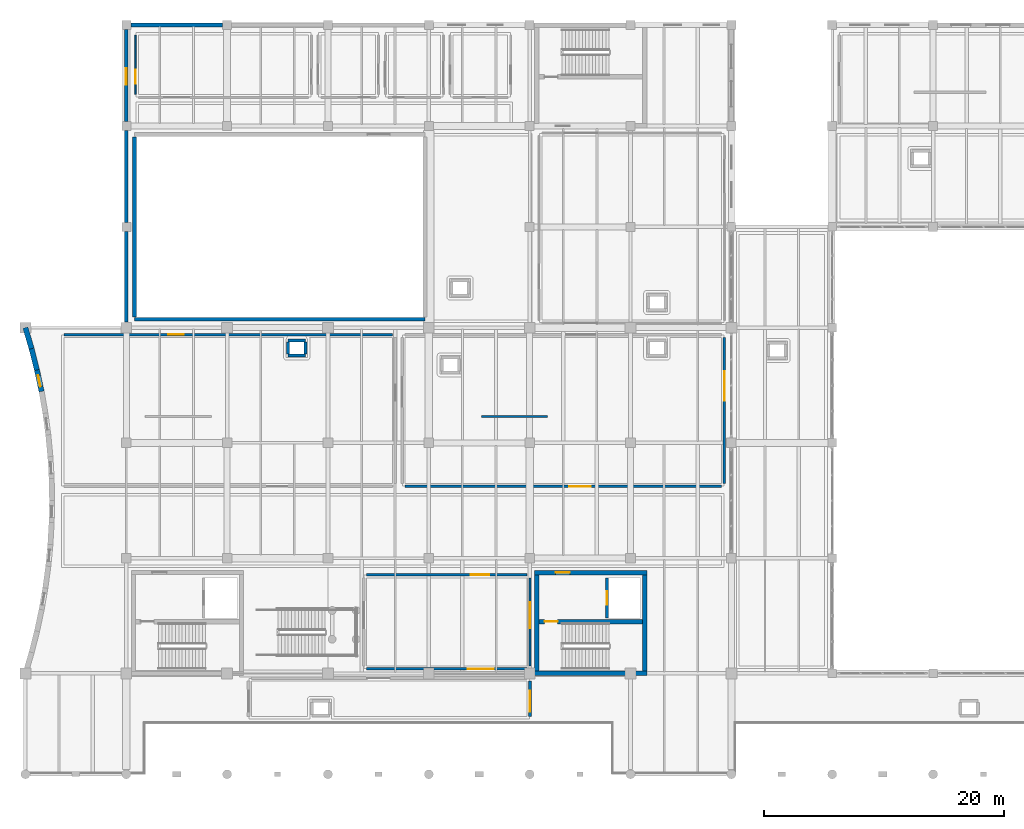
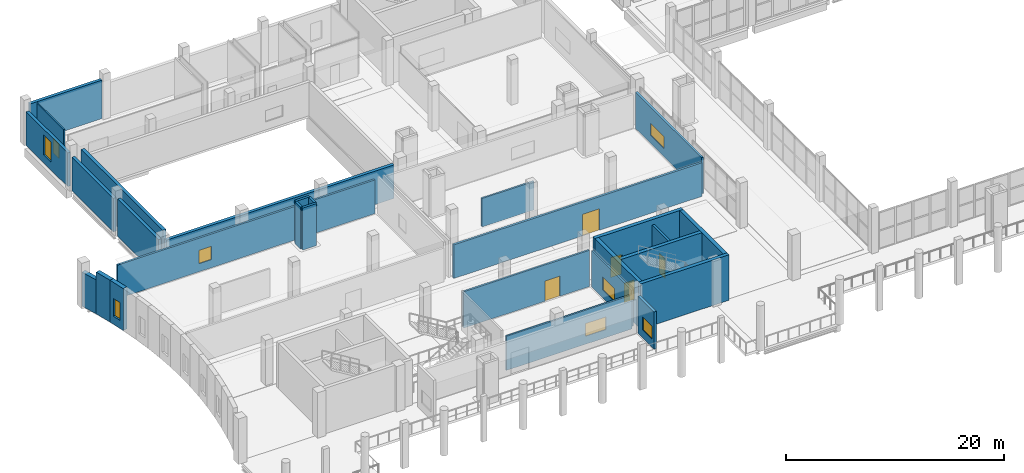
# One storey, part 45 of 66: 28 walls, 8 windows, 5 doors, 13 openings.
"""IFC4 building model written with IfcOpenShell, lengths in metres."""

from ifc_helpers import new_model, si_unit, direction, frame, frame_2d, origin, place, context, subcontext, project, spatial, rectangle, extrude, material, layer, layer_set, type_object, element, fill, save


model = new_model("IFC4")

# Units and contexts
model_context = context("Model", 3, precision=1e-05, world=origin(), true_north=direction((0.0, 1.0)))
body_context = subcontext(model_context, "Body", "Model", "MODEL_VIEW")
ifc_project = project(units=[si_unit("LENGTHUNIT", "METRE"), si_unit("AREAUNIT", "SQUARE_METRE"), si_unit("VOLUMEUNIT", "CUBIC_METRE"), si_unit("PLANEANGLEUNIT", "RADIAN"), si_unit("MASSUNIT", "GRAM", prefix="KILO")], contexts=[model_context])

# Site, building, storey
site_placement = place(None, origin())
site = spatial("IfcSite", under=ifc_project, at=site_placement, CompositionType="ELEMENT")
building_placement = place(site_placement, origin())
building = spatial("IfcBuilding", under=site, at=building_placement, Name="Zulmaris Art Gallery", CompositionType="ELEMENT")
storey_placement = place(building_placement, frame((0.0, 0.0, 5.39990234375)))
storey = spatial("IfcBuildingStorey", under=building, at=storey_placement, Name="L01", CompositionType="ELEMENT", Elevation=5.39990234375)

# Wall, opening, window
ifc_material_1 = material(Name="Omani Cream Limestone Ashlar Masonry", Category="masonry")
ifc_layer_1 = layer(ifc_material_1, 0.43994140625)
ifc_layer_set_1 = layer_set([ifc_layer_1], Name="Omani Cream Limestone Ashlar Masonry")
wall_type_1 = type_object("IfcWallType", Name="ENV-WALL-EW01", PredefinedType="SOLIDWALL", material=ifc_layer_set_1)
wall_1_placement = place(storey_placement, frame((25.34326171875, 45.085693359375, 0.0), z_axis=(0.0, 0.0, 1.0), x_axis=(-0.207941813813, 0.978141197409, 0.0)))
wall_1 = element("IfcWall", 1, at=wall_1_placement, inside=storey, type_object=wall_type_1, Name="L01 Concave Scooped Limestone Chord 14", PredefinedType="SOLIDWALL", context=body_context, shape_type="SweptSolid", body=[
    extrude(rectangle(XDim=1.828125, YDim=0.43994140625, at=frame_2d((0.9140625, 0.0))), origin(), (0.0, 0.0, 1.0), 4.7001953125),
])
opening_1_placement = place(wall_1_placement, frame((0.419921875, 0.0, 0.89990234375)))
opening_1 = element("IfcOpeningElement", 2, at=opening_1_placement, cuts=wall_1, Name="Opening W06", PredefinedType="OPENING", context=body_context, shape_type="SweptSolid", body=[
    extrude(rectangle(XDim=0.949951171875, YDim=2.0, at=frame_2d((0.47509765625, 1.0))), frame((0.0, 0.22998046875, 0.0), z_axis=(0.0, -1.0, 0.0), x_axis=(1.0, 0.0, 0.0)), (0.0, 0.0, 1.0), 0.4599609375),
])
ifc_material_2 = material(Name="Art Deco Stepped-Head Pier Window", Category="glass")
window_type_1 = type_object("IfcWindowType", Name="WIN-W06", PartitioningType="SINGLE_PANEL", PredefinedType="WINDOW", material=ifc_material_2)
window_1_placement = place(opening_1_placement, origin())
window_1 = element("IfcWindow", 3, at=window_1_placement, inside=storey, type_object=window_type_1, Name="L01 exterior window W06", OverallHeight=2.0, OverallWidth=0.949951171875, PartitioningType="SINGLE_PANEL", PredefinedType="WINDOW", context=body_context, shape_type="SweptSolid", body=[
    extrude(rectangle(XDim=0.949951171875, YDim=2.0, at=frame_2d((0.47509765625, 1.0))), frame((0.0, 0.030029296875, 0.0), z_axis=(0.0, -1.0, 0.0), x_axis=(1.0, 0.0, 0.0)), (0.0, 0.0, 1.0), 0.06005859375),
])
fill(opening_1, window_1)

# Walls
wall_2_placement = place(storey_placement, frame((24.963134765625, 46.873779296875, 0.0), z_axis=(0.0, 0.0, 1.0), x_axis=(-0.245080262371, 0.969502792671, 0.0)))
element("IfcWall", 4, at=wall_2_placement, inside=storey, type_object=wall_type_1, Name="L01 Concave Scooped Limestone Chord 15", PredefinedType="SOLIDWALL", context=body_context, shape_type="SweptSolid", body=[
    extrude(rectangle(XDim=1.827880859375, YDim=0.43994140625, at=frame_2d((0.9140625, 0.0))), origin(), (0.0, 0.0, 1.0), 4.7001953125),
])
wall_3_placement = place(storey_placement, frame((24.51513671875, 48.64599609375, 0.0), z_axis=(0.0, 0.0, 1.0), x_axis=(-0.281804764954, 0.959471768448, 0.0)))
element("IfcWall", 5, at=wall_3_placement, inside=storey, type_object=wall_type_1, Name="L01 Concave Scooped Limestone Chord 16", PredefinedType="SOLIDWALL", context=body_context, shape_type="SweptSolid", body=[
    extrude(rectangle(XDim=1.827880859375, YDim=0.43994140625, at=frame_2d((0.9140625, 0.0))), origin(), (0.0, 0.0, 1.0), 3.820068359375),
])
ifc_material_3 = material(Name="Stucco-Rendered Acoustic Blockwork Wall", Category="masonry")
ifc_layer_2 = layer(ifc_material_3, 0.320068359375)
ifc_layer_set_2 = layer_set([ifc_layer_2], Name="Stucco-Rendered Acoustic Blockwork Wall")
wall_type_2 = type_object("IfcWallType", Name="ENV-WALL-EW04", PredefinedType="SOLIDWALL", material=ifc_layer_set_2)
wall_4_placement = place(storey_placement, frame((32.777099609375, 75.60009765625, 0.0), z_axis=(0.0, 0.0, 1.0), x_axis=(1.0, 0.0, 0.0)))
element("IfcWall", 6, at=wall_4_placement, inside=storey, type_object=wall_type_2, Name="L01 V3 North Limestone Wall (32.4..40.8)", PredefinedType="SOLIDWALL", context=body_context, shape_type="SweptSolid", body=[
    extrude(rectangle(XDim=7.64599609375, YDim=0.320068359375, at=frame_2d((3.822998046875, 0.0))), origin(), (0.0, 0.0, 1.0), 4.320068359375),
])
wall_5_placement = place(storey_placement, frame((32.39990234375, 50.85205078125, 0.0), z_axis=(0.0, 0.0, 1.0), x_axis=(0.0, 1.0, 0.0)))
element("IfcWall", 7, at=wall_5_placement, inside=storey, type_object=wall_type_2, Name="L01 V3 West Auditorium Wall", PredefinedType="SOLIDWALL", context=body_context, shape_type="SweptSolid", body=[
    extrude(rectangle(XDim=7.571044921875, YDim=0.320068359375, at=frame_2d((3.78564453125, 0.0))), origin(), (0.0, 0.0, 1.0), 4.18017578125),
])
wall_6_placement = place(storey_placement, frame((32.39990234375, 59.177001953125, 0.0), z_axis=(0.0, 0.0, 1.0), x_axis=(0.0, 1.0, 0.0)))
element("IfcWall", 8, at=wall_6_placement, inside=storey, type_object=wall_type_2, Name="L01 V3 West Auditorium Wall", PredefinedType="SOLIDWALL", context=body_context, shape_type="SweptSolid", body=[
    extrude(rectangle(XDim=7.64599609375, YDim=0.320068359375, at=frame_2d((3.822998046875, 0.0))), origin(), (0.0, 0.0, 1.0), 3.77001953125),
])

# Wall, opening, window
wall_7_placement = place(storey_placement, frame((32.39990234375, 67.576904296875, 0.0), z_axis=(0.0, 0.0, 1.0), x_axis=(0.0, 1.0, 0.0)))
wall_7 = element("IfcWall", 9, at=wall_7_placement, inside=storey, type_object=wall_type_2, Name="L01 V3 West Auditorium Wall", PredefinedType="SOLIDWALL", context=body_context, shape_type="SweptSolid", body=[
    extrude(rectangle(XDim=7.64599609375, YDim=0.320068359375, at=frame_2d((3.822998046875, 0.0))), origin(), (0.0, 0.0, 1.0), 3.77001953125),
])
opening_2_placement = place(wall_7_placement, frame((3.04296875, 0.0, 0.89990234375)))
opening_2 = element("IfcOpeningElement", 10, at=opening_2_placement, cuts=wall_7, Name="Opening W04", PredefinedType="OPENING", context=body_context, shape_type="SweptSolid", body=[
    extrude(rectangle(XDim=1.39990234375, YDim=2.199951171875, at=frame_2d((0.699951171875, 1.10009765625))), frame((0.0, 0.169921875, 0.0), z_axis=(0.0, -1.0, 0.0), x_axis=(1.0, 0.0, 0.0)), (0.0, 0.0, 1.0), 0.340087890625),
])
ifc_material_4 = material(Name="Deep-Reveal Limestone Slot Window", Category="masonry")
window_type_2 = type_object("IfcWindowType", Name="WIN-W04", PartitioningType="SINGLE_PANEL", PredefinedType="WINDOW", material=ifc_material_4)
window_2_placement = place(opening_2_placement, origin())
window_2 = element("IfcWindow", 11, at=window_2_placement, inside=storey, type_object=window_type_2, Name="L01 exterior window W04", OverallHeight=2.199951171875, OverallWidth=1.39990234375, PartitioningType="SINGLE_PANEL", PredefinedType="WINDOW", context=body_context, shape_type="SweptSolid", body=[
    extrude(rectangle(XDim=1.39990234375, YDim=2.199951171875, at=frame_2d((0.699951171875, 1.10009765625))), frame((0.0, 0.030029296875, 0.0), z_axis=(0.0, -1.0, 0.0), x_axis=(1.0, 0.0, 0.0)), (0.0, 0.0, 1.0), 0.06005859375),
])
fill(opening_2, window_2)

# Wall
ifc_material_5 = material(Name="Track-Hung Acoustic Gallery Display Wall B", Category="timber")
ifc_layer_3 = layer(ifc_material_5, 0.181884765625)
ifc_layer_set_3 = layer_set([ifc_layer_3], Name="Track-Hung Acoustic Gallery Display Wall B")
wall_type_3 = type_object("IfcWallType", Name="IWALL-MW02", PredefinedType="MOVABLE", material=ifc_layer_set_3)
wall_8_placement = place(storey_placement, frame((62.0, 43.0, 0.0), z_axis=(0.0, 0.0, 1.0), x_axis=(1.0, 0.0, 0.0)))
element("IfcWall", 12, at=wall_8_placement, inside=storey, type_object=wall_type_3, Name="L01 Movable Gallery Display Wall 6", PredefinedType="MOVABLE", context=body_context, shape_type="SweptSolid", body=[
    extrude(rectangle(XDim=5.5, YDim=0.181884765625, at=frame_2d((2.75, 0.0))), origin(), (0.0, 0.0, 1.0), 3.2001953125),
])

# Wall, opening, window
ifc_material_6 = material(Name="Light Gallery Backing Partition", Category="gypsum")
ifc_layer_4 = layer(ifc_material_6, 0.1298828125)
ifc_layer_set_4 = layer_set([ifc_layer_4], Name="Light Gallery Backing Partition")
wall_type_4 = type_object("IfcWallType", Name="IWALL-PW03", PredefinedType="PARTITIONING", material=ifc_layer_set_4)
wall_9_placement = place(storey_placement, frame((33.179931640625, 69.830078125, 0.0), z_axis=(0.0, 0.0, 1.0), x_axis=(0.0, 1.0, 0.0)))
wall_9 = element("IfcWall", 13, at=wall_9_placement, inside=storey, type_object=wall_type_4, Name="Digital Media Seminar Room W partition", PredefinedType="PARTITIONING", context=body_context, shape_type="SweptSolid", body=[
    extrude(rectangle(XDim=4.93994140625, YDim=0.1298828125, at=frame_2d((2.469970703125, 0.0))), origin(), (0.0, 0.0, 1.0), 4.72021484375),
])
opening_3_placement = place(wall_9_placement, frame((0.89990234375, 0.0, 0.89990234375)))
opening_3 = element("IfcOpeningElement", 14, at=opening_3_placement, cuts=wall_9, Name="Opening IW08", PredefinedType="OPENING", context=body_context, shape_type="SweptSolid", body=[
    extrude(rectangle(XDim=1.159912109375, YDim=1.6201171875, at=frame_2d((0.580078125, 0.81005859375))), frame((0.0, 0.074951171875, 0.0), z_axis=(0.0, -1.0, 0.0), x_axis=(1.0, 0.0, 0.0)), (0.0, 0.0, 1.0), 0.14990234375),
])
ifc_material_7 = material(Name="Foyer Cloakroom Counter Glazing", Category="glass")
window_type_3 = type_object("IfcWindowType", Name="IWIN-IW08", PartitioningType="SINGLE_PANEL", PredefinedType="WINDOW", material=ifc_material_7)
window_3_placement = place(opening_3_placement, origin())
window_3 = element("IfcWindow", 15, at=window_3_placement, inside=storey, type_object=window_type_3, Name="L01 interior observation window IW08", OverallHeight=1.6201171875, OverallWidth=1.159912109375, PartitioningType="SINGLE_PANEL", PredefinedType="WINDOW", context=body_context, shape_type="SweptSolid", body=[
    extrude(rectangle(XDim=1.159912109375, YDim=1.6201171875, at=frame_2d((0.580078125, 0.81005859375))), frame((0.0, 0.030029296875, 0.0), z_axis=(0.0, -1.0, 0.0), x_axis=(1.0, 0.0, 0.0)), (0.0, 0.0, 1.0), 0.06005859375),
])
fill(opening_3, window_3)

# Wall, opening, door
ifc_material_8 = material(Name="Conservation Laboratory Partition", Category="masonry")
ifc_layer_5 = layer(ifc_material_8, 0.18994140625)
ifc_layer_set_5 = layer_set([ifc_layer_5], Name="Conservation Laboratory Partition")
wall_type_5 = type_object("IfcWallType", Name="IWALL-PW07", PredefinedType="PARTITIONING", material=ifc_layer_set_5)
wall_10_placement = place(storey_placement, frame((52.429931640625, 29.820068359375, 0.0), z_axis=(0.0, 0.0, 1.0), x_axis=(1.0, 0.0, 0.0)))
wall_10 = element("IfcWall", 16, at=wall_10_placement, inside=storey, type_object=wall_type_5, Name="Modern Gulf Painting Gallery N partition", PredefinedType="PARTITIONING", context=body_context, shape_type="SweptSolid", body=[
    extrude(rectangle(XDim=13.340087890625, YDim=0.18994140625, at=frame_2d((6.669921875, 0.0))), origin(), (0.0, 0.0, 1.0), 4.070068359375),
])
opening_4_placement = place(wall_10_placement, frame((8.64990234375, 0.0, 0.0)))
opening_4 = element("IfcOpeningElement", 17, at=opening_4_placement, cuts=wall_10, Name="Opening D13", PredefinedType="OPENING", context=body_context, shape_type="SweptSolid", body=[
    extrude(rectangle(XDim=1.56005859375, YDim=2.260009765625, at=frame_2d((0.780029296875, 1.1298828125))), frame((0.0, 0.10498046875, 0.0), z_axis=(0.0, -1.0, 0.0), x_axis=(1.0, 0.0, 0.0)), (0.0, 0.0, 1.0), 0.2099609375),
])
ifc_material_9 = material(Name="Corridor Cross-Compartment Double Door", Category="timber")
door_type_1 = type_object("IfcDoorType", Name="IDOOR-D13", OperationType="DOUBLE_SWING_LEFT", PredefinedType="DOOR", material=ifc_material_9)
door_1_placement = place(opening_4_placement, origin())
door_1 = element("IfcDoor", 18, at=door_1_placement, inside=storey, type_object=door_type_1, Name="Modern Gulf Painting Gallery Door", OperationType="DOUBLE_SWING_LEFT", OverallHeight=2.260009765625, OverallWidth=1.56005859375, PredefinedType="DOOR", context=body_context, shape_type="SweptSolid", body=[
    extrude(rectangle(XDim=1.56005859375, YDim=2.260009765625, at=frame_2d((0.780029296875, 1.1298828125))), frame((0.0, 0.02490234375, 0.0), z_axis=(0.0, -1.0, 0.0), x_axis=(1.0, 0.0, 0.0)), (0.0, 0.0, 1.0), 0.050048828125),
])
fill(opening_4, door_1)

# Wall, opening, window
wall_11_placement = place(storey_placement, frame((52.429931640625, 21.97998046875, 0.0), z_axis=(0.0, 0.0, 1.0), x_axis=(1.0, 0.0, 0.0)))
wall_11 = element("IfcWall", 19, at=wall_11_placement, inside=storey, type_object=wall_type_5, Name="Modern Gulf Painting Gallery S partition", PredefinedType="PARTITIONING", context=body_context, shape_type="SweptSolid", body=[
    extrude(rectangle(XDim=13.340087890625, YDim=0.18994140625, at=frame_2d((6.669921875, 0.0))), origin(), (0.0, 0.0, 1.0), 3.820068359375),
])
opening_5_placement = place(wall_11_placement, frame((8.39990234375, 0.0, 0.89990234375)))
opening_5 = element("IfcOpeningElement", 20, at=opening_5_placement, cuts=wall_11, Name="Opening IW03", PredefinedType="OPENING", context=body_context, shape_type="SweptSolid", body=[
    extrude(rectangle(XDim=2.159912109375, YDim=1.419921875, at=frame_2d((1.080078125, 0.7099609375))), frame((0.0, 0.10498046875, 0.0), z_axis=(0.0, -1.0, 0.0), x_axis=(1.0, 0.0, 0.0)), (0.0, 0.0, 1.0), 0.2099609375),
])
ifc_material_10 = material(Name="Analytical Lab Observation Window", Category="glass")
window_type_4 = type_object("IfcWindowType", Name="IWIN-IW03", PartitioningType="SINGLE_PANEL", PredefinedType="WINDOW", material=ifc_material_10)
window_4_placement = place(opening_5_placement, origin())
window_4 = element("IfcWindow", 21, at=window_4_placement, inside=storey, type_object=window_type_4, Name="L01 interior observation window IW03", OverallHeight=1.419921875, OverallWidth=2.159912109375, PartitioningType="SINGLE_PANEL", PredefinedType="WINDOW", context=body_context, shape_type="SweptSolid", body=[
    extrude(rectangle(XDim=2.159912109375, YDim=1.419921875, at=frame_2d((1.080078125, 0.7099609375))), frame((0.0, 0.030029296875, 0.0), z_axis=(0.0, -1.0, 0.0), x_axis=(1.0, 0.0, 0.0)), (0.0, 0.0, 1.0), 0.06005859375),
])
fill(opening_5, window_4)

wall_12_placement = place(storey_placement, frame((66.02001953125, 22.22998046875, 0.0), z_axis=(0.0, 0.0, 1.0), x_axis=(0.0, 1.0, 0.0)))
wall_12 = element("IfcWall", 22, at=wall_12_placement, inside=storey, type_object=wall_type_5, Name="Modern Gulf Painting Gallery E partition", PredefinedType="PARTITIONING", context=body_context, shape_type="SweptSolid", body=[
    extrude(rectangle(XDim=7.340087890625, YDim=0.18994140625, at=frame_2d((3.669921875, 0.0))), origin(), (0.0, 0.0, 1.0), 4.070068359375),
])
opening_6_placement = place(wall_12_placement, frame((3.14990234375, 0.0, 0.89990234375)))
opening_6 = element("IfcOpeningElement", 23, at=opening_6_placement, cuts=wall_12, Name="Opening IW03", PredefinedType="OPENING", context=body_context, shape_type="SweptSolid", body=[
    extrude(rectangle(XDim=2.159912109375, YDim=1.419921875, at=frame_2d((1.080078125, 0.7099609375))), frame((0.0, 0.10498046875, 0.0), z_axis=(0.0, -1.0, 0.0), x_axis=(1.0, 0.0, 0.0)), (0.0, 0.0, 1.0), 0.2099609375),
])
window_5_placement = place(opening_6_placement, origin())
window_5 = element("IfcWindow", 24, at=window_5_placement, inside=storey, type_object=window_type_4, Name="L01 interior observation window IW03", OverallHeight=1.419921875, OverallWidth=2.159912109375, PartitioningType="SINGLE_PANEL", PredefinedType="WINDOW", context=body_context, shape_type="SweptSolid", body=[
    extrude(rectangle(XDim=2.159912109375, YDim=1.419921875, at=frame_2d((1.080078125, 0.7099609375))), frame((0.0, 0.030029296875, 0.0), z_axis=(0.0, -1.0, 0.0), x_axis=(1.0, 0.0, 0.0)), (0.0, 0.0, 1.0), 0.06005859375),
])
fill(opening_6, window_5)

ifc_material_11 = material(Name="Fire-Rated Corridor Compartment Wall", Category="masonry")
ifc_layer_6 = layer(ifc_material_11, 0.205078125)
ifc_layer_set_6 = layer_set([ifc_layer_6], Name="Fire-Rated Corridor Compartment Wall")
wall_type_6 = type_object("IfcWallType", Name="IWALL-PW08", PredefinedType="PARTITIONING", material=ifc_layer_set_6)
wall_13_placement = place(storey_placement, frame((27.22998046875, 49.820068359375, 0.0), z_axis=(0.0, 0.0, 1.0), x_axis=(1.0, 0.0, 0.0)))
wall_13 = element("IfcWall", 25, at=wall_13_placement, inside=storey, type_object=wall_type_6, Name="Calligraphy & Manuscript Gallery N partition", PredefinedType="PARTITIONING", context=body_context, shape_type="SweptSolid", body=[
    extrude(rectangle(XDim=27.340087890625, YDim=0.205078125, at=frame_2d((13.669921875, 0.0))), origin(), (0.0, 0.0, 1.0), 3.77001953125),
])
opening_7_placement = place(wall_13_placement, frame((8.64990234375, 0.0, 0.89990234375)))
opening_7 = element("IfcOpeningElement", 26, at=opening_7_placement, cuts=wall_13, Name="Opening IW04", PredefinedType="OPENING", context=body_context, shape_type="SweptSolid", body=[
    extrude(rectangle(XDim=1.320068359375, YDim=1.5, at=frame_2d((0.66015625, 0.75))), frame((0.0, 0.112548828125, 0.0), z_axis=(0.0, -1.0, 0.0), x_axis=(1.0, 0.0, 0.0)), (0.0, 0.0, 1.0), 0.22509765625),
])
ifc_material_12 = material(Name="Curatorial Study Vitrine Window", Category="glass")
window_type_5 = type_object("IfcWindowType", Name="IWIN-IW04", PartitioningType="SINGLE_PANEL", PredefinedType="WINDOW", material=ifc_material_12)
window_6_placement = place(opening_7_placement, origin())
window_6 = element("IfcWindow", 27, at=window_6_placement, inside=storey, type_object=window_type_5, Name="L01 interior observation window IW04", OverallHeight=1.5, OverallWidth=1.320068359375, PartitioningType="SINGLE_PANEL", PredefinedType="WINDOW", context=body_context, shape_type="SweptSolid", body=[
    extrude(rectangle(XDim=1.320068359375, YDim=1.5, at=frame_2d((0.66015625, 0.75))), frame((0.0, 0.030029296875, 0.0), z_axis=(0.0, -1.0, 0.0), x_axis=(1.0, 0.0, 0.0)), (0.0, 0.0, 1.0), 0.06005859375),
])
fill(opening_7, window_6)

# Wall, opening, door
ifc_material_13 = material(Name="Hygrometric Art Store Buffer Wall", Category="masonry")
ifc_layer_7 = layer(ifc_material_13, 0.219970703125)
ifc_layer_set_7 = layer_set([ifc_layer_7], Name="Hygrometric Art Store Buffer Wall")
wall_type_7 = type_object("IfcWallType", Name="IWALL-PW09", PredefinedType="PARTITIONING", material=ifc_layer_set_7)
wall_14_placement = place(storey_placement, frame((55.6298828125, 37.179931640625, 0.0), z_axis=(0.0, 0.0, 1.0), x_axis=(1.0, 0.0, 0.0)))
wall_14 = element("IfcWall", 28, at=wall_14_placement, inside=storey, type_object=wall_type_7, Name="Contemporary Arab Photography Gallery S partition", PredefinedType="PARTITIONING", context=body_context, shape_type="SweptSolid", body=[
    extrude(rectangle(XDim=26.340087890625, YDim=0.219970703125, at=frame_2d((13.169921875, 0.0))), origin(), (0.0, 0.0, 1.0), 3.77001953125),
])
opening_8_placement = place(wall_14_placement, frame((13.64990234375, 0.0, 0.0)))
opening_8 = element("IfcOpeningElement", 29, at=opening_8_placement, cuts=wall_14, Name="Opening D15", PredefinedType="OPENING", context=body_context, shape_type="SweptSolid", body=[
    extrude(rectangle(XDim=1.800048828125, YDim=2.419921875, at=frame_2d((0.89990234375, 1.2099609375))), frame((0.0, 0.119873046875, 0.0), z_axis=(0.0, -1.0, 0.0), x_axis=(1.0, 0.0, 0.0)), (0.0, 0.0, 1.0), 0.239990234375),
])
ifc_material_14 = material(Name="Auditorium Sound-Lock Double Door", Category="timber")
door_type_2 = type_object("IfcDoorType", Name="IDOOR-D15", OperationType="DOUBLE_SWING_LEFT", PredefinedType="DOOR", material=ifc_material_14)
door_2_placement = place(opening_8_placement, origin())
door_2 = element("IfcDoor", 30, at=door_2_placement, inside=storey, type_object=door_type_2, Name="Contemporary Arab Photography Gallery Door", OperationType="DOUBLE_SWING_LEFT", OverallHeight=2.419921875, OverallWidth=1.800048828125, PredefinedType="DOOR", context=body_context, shape_type="SweptSolid", body=[
    extrude(rectangle(XDim=1.800048828125, YDim=2.419921875, at=frame_2d((0.89990234375, 1.2099609375))), frame((0.0, 0.02490234375, 0.0), z_axis=(0.0, -1.0, 0.0), x_axis=(1.0, 0.0, 0.0)), (0.0, 0.0, 1.0), 0.050048828125),
])
fill(opening_8, door_2)

# Wall, opening, window
wall_15_placement = place(storey_placement, frame((82.219970703125, 37.429931640625, 0.0), z_axis=(0.0, 0.0, 1.0), x_axis=(0.0, 1.0, 0.0)))
wall_15 = element("IfcWall", 31, at=wall_15_placement, inside=storey, type_object=wall_type_7, Name="Contemporary Arab Photography Gallery E partition", PredefinedType="PARTITIONING", context=body_context, shape_type="SweptSolid", body=[
    extrude(rectangle(XDim=12.14013671875, YDim=0.219970703125, at=frame_2d((6.070068359375, 0.0))), origin(), (0.0, 0.0, 1.0), 4.070068359375),
])
opening_9_placement = place(wall_15_placement, frame((6.89990234375, 0.0, 0.89990234375)))
opening_9 = element("IfcOpeningElement", 32, at=opening_9_placement, cuts=wall_15, Name="Opening IW05", PredefinedType="OPENING", context=body_context, shape_type="SweptSolid", body=[
    extrude(rectangle(XDim=2.4599609375, YDim=1.3798828125, at=frame_2d((1.22998046875, 0.68994140625))), frame((0.0, 0.119873046875, 0.0), z_axis=(0.0, -1.0, 0.0), x_axis=(1.0, 0.0, 0.0)), (0.0, 0.0, 1.0), 0.239990234375),
])
ifc_material_15 = material(Name="Workshop Safety Observation Window", Category="glass")
window_type_6 = type_object("IfcWindowType", Name="IWIN-IW05", PartitioningType="SINGLE_PANEL", PredefinedType="WINDOW", material=ifc_material_15)
window_7_placement = place(opening_9_placement, origin())
window_7 = element("IfcWindow", 33, at=window_7_placement, inside=storey, type_object=window_type_6, Name="L01 interior observation window IW05", OverallHeight=1.3798828125, OverallWidth=2.4599609375, PartitioningType="SINGLE_PANEL", PredefinedType="WINDOW", context=body_context, shape_type="SweptSolid", body=[
    extrude(rectangle(XDim=2.4599609375, YDim=1.3798828125, at=frame_2d((1.22998046875, 0.68994140625))), frame((0.0, 0.030029296875, 0.0), z_axis=(0.0, -1.0, 0.0), x_axis=(1.0, 0.0, 0.0)), (0.0, 0.0, 1.0), 0.06005859375),
])
fill(opening_9, window_7)

# Wall, opening, door
ifc_material_16 = material(Name="Core Lobby Fire-Resisting Masonry Wall", Category="masonry")
ifc_layer_8 = layer(ifc_material_16, 0.235107421875)
ifc_layer_set_8 = layer_set([ifc_layer_8], Name="Core Lobby Fire-Resisting Masonry Wall")
wall_type_8 = type_object("IfcWallType", Name="IWALL-PW10", PredefinedType="PARTITIONING", material=ifc_layer_set_8)
wall_16_placement = place(storey_placement, frame((72.449951171875, 26.219970703125, 0.0), z_axis=(0.0, 0.0, 1.0), x_axis=(0.0, 1.0, 0.0)))
wall_16 = element("IfcWall", 34, at=wall_16_placement, inside=storey, type_object=wall_type_8, Name="LF-P2 L01 lift shaft front wall", PredefinedType="PARTITIONING", context=body_context, shape_type="SweptSolid", body=[
    extrude(rectangle(XDim=3.330078125, YDim=0.235107421875, at=frame_2d((1.6650390625, 0.0))), origin(), (0.0, 0.0, 1.0), 4.72021484375),
])
opening_10_placement = place(wall_16_placement, frame((1.114990234375, 0.0, 0.0)))
opening_10 = element("IfcOpeningElement", 35, at=opening_10_placement, cuts=wall_16, Name="Opening LD01", PredefinedType="OPENING", context=body_context, shape_type="SweptSolid", body=[
    extrude(rectangle(XDim=1.10009765625, YDim=2.199951171875, at=frame_2d((0.550048828125, 1.10009765625))), frame((0.0, 0.12744140625, 0.0), z_axis=(0.0, -1.0, 0.0), x_axis=(1.0, 0.0, 0.0)), (0.0, 0.0, 1.0), 0.255126953125),
])
ifc_material_17 = material(Name="Passenger Lift Sliding Landing Door", Category="steel")
door_type_3 = type_object("IfcDoorType", Name="IDOOR-LD01", OperationType="SLIDING_TO_LEFT", PredefinedType="DOOR", material=ifc_material_17)
door_3_placement = place(opening_10_placement, origin())
door_3 = element("IfcDoor", 36, at=door_3_placement, inside=storey, type_object=door_type_3, Name="LF-P2 L01 Lift Landing Sliding Door", OperationType="SLIDING_TO_LEFT", OverallHeight=2.199951171875, OverallWidth=1.10009765625, PredefinedType="DOOR", context=body_context, shape_type="SweptSolid", body=[
    extrude(rectangle(XDim=1.10009765625, YDim=2.199951171875, at=frame_2d((0.550048828125, 1.10009765625))), frame((0.0, 0.02490234375, 0.0), z_axis=(0.0, -1.0, 0.0), x_axis=(1.0, 0.0, 0.0)), (0.0, 0.0, 1.0), 0.050048828125),
])
fill(opening_10, door_3)

# Walls
ifc_material_18 = material(Name="MEP Riser & Smoke Shaft Enclosure Wall", Category="masonry")
ifc_layer_9 = layer(ifc_material_18, 0.2548828125)
ifc_layer_set_9 = layer_set([ifc_layer_9], Name="MEP Riser & Smoke Shaft Enclosure Wall")
wall_type_9 = type_object("IfcWallType", Name="IWALL-PW11", PredefinedType="PARTITIONING", material=ifc_layer_set_9)
for number, where, z_axis, x_axis, name in (
    (37, (45.860107421875, 49.320068359375, 0.0), (0.0, 0.0, 1.0), (1.0, 0.0, 0.0), "L01 MEP Riser 1 N wall"),
    (38, (45.860107421875, 48.080078125, 0.0), (0.0, 0.0, 1.0), (1.0, 0.0, 0.0), "L01 MEP Riser 1 S wall"),
):
    element("IfcWall", number, at=place(storey_placement, frame(where, z_axis=z_axis, x_axis=x_axis)), inside=storey, type_object=wall_type_9, Name=name, PredefinedType="PARTITIONING", context=body_context, shape_type="SweptSolid", body=[
        extrude(rectangle(XDim=1.47998046875, YDim=0.2548828125, at=frame_2d((0.739990234375, 0.0))), origin(), (0.0, 0.0, 1.0), 4.72021484375),
    ])
for number, where, z_axis, x_axis, name in (
    (39, (45.8798828125, 48.199951171875, 0.0), (0.0, 0.0, 1.0), (0.0, 1.0, 0.0), "L01 MEP Riser 1 W wall"),
    (40, (47.320068359375, 48.199951171875, 0.0), (0.0, 0.0, 1.0), (0.0, 1.0, 0.0), "L01 MEP Riser 1 E wall"),
):
    element("IfcWall", number, at=place(storey_placement, frame(where, z_axis=z_axis, x_axis=x_axis)), inside=storey, type_object=wall_type_9, Name=name, PredefinedType="PARTITIONING", context=body_context, shape_type="SweptSolid", body=[
        extrude(rectangle(XDim=1.0, YDim=0.2548828125, at=frame_2d((0.5, 0.0))), origin(), (0.0, 0.0, 1.0), 4.72021484375),
    ])

# Wall, opening, window
ifc_material_19 = material(Name="Plant & Substation Acoustic Blockwork Wall", Category="masonry")
ifc_layer_10 = layer(ifc_material_19, 0.27001953125)
ifc_layer_set_10 = layer_set([ifc_layer_10], Name="Plant & Substation Acoustic Blockwork Wall")
wall_type_10 = type_object("IfcWallType", Name="IWALL-PW12", PredefinedType="PARTITIONING", material=ifc_layer_set_10)
wall_17_placement = place(storey_placement, frame((66.02001953125, 18.030029296875, 0.0), z_axis=(0.0, 0.0, 1.0), x_axis=(0.0, 1.0, 0.0)))
wall_17 = element("IfcWall", 41, at=wall_17_placement, inside=storey, type_object=wall_type_10, Name="South Mezzanine Overlook Promenade E partition", PredefinedType="PARTITIONING", context=body_context, shape_type="SweptSolid", body=[
    extrude(rectangle(XDim=2.93994140625, YDim=0.27001953125, at=frame_2d((1.469970703125, 0.0))), origin(), (0.0, 0.0, 1.0), 4.18017578125),
])
opening_11_placement = place(wall_17_placement, frame((0.39990234375, 0.0, 0.89990234375)))
opening_11 = element("IfcOpeningElement", 42, at=opening_11_placement, cuts=wall_17, Name="Opening IW06", PredefinedType="OPENING", context=body_context, shape_type="SweptSolid", body=[
    extrude(rectangle(XDim=1.719970703125, YDim=1.4599609375, at=frame_2d((0.85986328125, 0.72998046875))), frame((0.0, 0.14501953125, 0.0), z_axis=(0.0, -1.0, 0.0), x_axis=(1.0, 0.0, 0.0)), (0.0, 0.0, 1.0), 0.2900390625),
])
ifc_material_20 = material(Name="Library Reading Room Internal Glazing", Category="glass")
window_type_7 = type_object("IfcWindowType", Name="IWIN-IW06", PartitioningType="SINGLE_PANEL", PredefinedType="WINDOW", material=ifc_material_20)
window_8_placement = place(opening_11_placement, origin())
window_8 = element("IfcWindow", 43, at=window_8_placement, inside=storey, type_object=window_type_7, Name="L01 interior observation window IW06", OverallHeight=1.4599609375, OverallWidth=1.719970703125, PartitioningType="SINGLE_PANEL", PredefinedType="WINDOW", context=body_context, shape_type="SweptSolid", body=[
    extrude(rectangle(XDim=1.719970703125, YDim=1.4599609375, at=frame_2d((0.85986328125, 0.72998046875))), frame((0.0, 0.030029296875, 0.0), z_axis=(0.0, -1.0, 0.0), x_axis=(1.0, 0.0, 0.0)), (0.0, 0.0, 1.0), 0.06005859375),
])
fill(opening_11, window_8)

# Walls
ifc_material_21 = material(Name="Auditorium Double-Leaf Acoustic Isolation Wall", Category="masonry")
ifc_layer_11 = layer(ifc_material_21, 0.330078125)
ifc_layer_set_11 = layer_set([ifc_layer_11], Name="Auditorium Double-Leaf Acoustic Isolation Wall")
wall_type_11 = type_object("IfcWallType", Name="IWALL-PW14", PredefinedType="PARTITIONING", material=ifc_layer_set_11)
wall_18_placement = place(storey_placement, frame((33.10009765625, 51.10009765625, 0.0), z_axis=(0.0, 0.0, 1.0), x_axis=(1.0, 0.0, 0.0)))
element("IfcWall", 44, at=wall_18_placement, inside=storey, type_object=wall_type_11, Name="L01 Auditorium Upper Acoustic Wall S", PredefinedType="PARTITIONING", context=body_context, shape_type="SweptSolid", body=[
    extrude(rectangle(XDim=24.199951171875, YDim=0.330078125, at=frame_2d((12.10009765625, 0.0))), origin(), (0.0, 0.0, 1.0), 3.77001953125),
])
wall_19_placement = place(storey_placement, frame((33.10009765625, 51.300048828125, 0.0), z_axis=(0.0, 0.0, 1.0), x_axis=(0.0, 1.0, 0.0)))
element("IfcWall", 45, at=wall_19_placement, inside=storey, type_object=wall_type_11, Name="L01 Auditorium Upper Acoustic Wall W", PredefinedType="PARTITIONING", context=body_context, shape_type="SweptSolid", body=[
    extrude(rectangle(XDim=15.0, YDim=0.330078125, at=frame_2d((7.5, 0.0))), origin(), (0.0, 0.0, 1.0), 4.72021484375),
])
ifc_material_22 = material(Name="Concrete C50/60", Category="concrete")
ifc_layer_12 = layer(ifc_material_22, 0.3798828125)
ifc_layer_set_12 = layer_set([ifc_layer_12], Name="Concrete C50/60")
wall_type_12 = type_object("IfcWallType", Name="STR-WALL-SW02", PredefinedType="SHEAR", material=ifc_layer_set_12)
wall_20_placement = place(storey_placement, frame((66.409912109375, 21.60009765625, 0.0), z_axis=(0.0, 0.0, 1.0), x_axis=(1.0, 0.0, 0.0)))
element("IfcWall", 46, at=wall_20_placement, inside=storey, type_object=wall_type_12, Name="Core C2 L01 S shear wall", PredefinedType="SHEAR", context=body_context, shape_type="SweptSolid", body=[
    extrude(rectangle(XDim=9.380126953125, YDim=0.3798828125, at=frame_2d((4.68994140625, 0.0))), origin(), (0.0, 0.0, 1.0), 5.10009765625),
])

# Wall, opening, door
wall_21_placement = place(storey_placement, frame((66.409912109375, 30.0, 0.0), z_axis=(0.0, 0.0, 1.0), x_axis=(1.0, 0.0, 0.0)))
wall_21 = element("IfcWall", 47, at=wall_21_placement, inside=storey, type_object=wall_type_12, Name="Core C2 L01 N shear wall", PredefinedType="SHEAR", context=body_context, shape_type="SweptSolid", body=[
    extrude(rectangle(XDim=9.380126953125, YDim=0.3798828125, at=frame_2d((4.68994140625, 0.0))), origin(), (0.0, 0.0, 1.0), 5.10009765625),
])
opening_12_placement = place(wall_21_placement, frame((1.75, 0.0, 0.0)))
opening_12 = element("IfcOpeningElement", 48, at=opening_12_placement, cuts=wall_21, Name="Opening D08", PredefinedType="OPENING", context=body_context, shape_type="SweptSolid", body=[
    extrude(rectangle(XDim=1.179931640625, YDim=2.239990234375, at=frame_2d((0.58984375, 1.1201171875))), frame((0.0, 0.199951171875, 0.0), z_axis=(0.0, -1.0, 0.0), x_axis=(1.0, 0.0, 0.0)), (0.0, 0.0, 1.0), 0.39990234375),
])
ifc_material_23 = material(Name="Firefighting Lobby Compartment Door", Category="steel")
door_type_4 = type_object("IfcDoorType", Name="IDOOR-D08", OperationType="NOTDEFINED", PredefinedType="DOOR", material=ifc_material_23)
door_4_placement = place(opening_12_placement, origin())
door_4 = element("IfcDoor", 49, at=door_4_placement, inside=storey, type_object=door_type_4, Name="Core C2 L01 Lobby Compartment Door", OperationType="SINGLE_SWING_RIGHT", OverallHeight=2.239990234375, OverallWidth=1.179931640625, PredefinedType="DOOR", context=body_context, shape_type="SweptSolid", body=[
    extrude(rectangle(XDim=1.179931640625, YDim=2.239990234375, at=frame_2d((0.58984375, 1.1201171875))), frame((0.0, 0.02490234375, 0.0), z_axis=(0.0, -1.0, 0.0), x_axis=(1.0, 0.0, 0.0)), (0.0, 0.0, 1.0), 0.050048828125),
])
fill(opening_12, door_4)

# Walls
for number, where, z_axis, x_axis, name in (
    (50, (66.60009765625, 21.7900390625, 0.0), (0.0, 0.0, 1.0), (0.0, 1.0, 0.0), "Core C2 L01 W shear wall"),
    (51, (75.60009765625, 21.7900390625, 0.0), (0.0, 0.0, 1.0), (0.0, 1.0, 0.0), "Core C2 L01 E shear wall"),
):
    element("IfcWall", number, at=place(storey_placement, frame(where, z_axis=z_axis, x_axis=x_axis)), inside=storey, type_object=wall_type_12, Name=name, PredefinedType="SHEAR", context=body_context, shape_type="SweptSolid", body=[
        extrude(rectangle(XDim=8.02001953125, YDim=0.3798828125, at=frame_2d((4.010009765625, 0.0))), origin(), (0.0, 0.0, 1.0), 5.10009765625),
    ])

# Wall, opening, door
wall_22_placement = place(storey_placement, frame((66.7900390625, 25.909912109375, 0.0), z_axis=(0.0, 0.0, 1.0), x_axis=(1.0, 0.0, 0.0)))
wall_22 = element("IfcWall", 52, at=wall_22_placement, inside=storey, type_object=wall_type_12, Name="Core C2 L01 DIV shear wall", PredefinedType="SHEAR", context=body_context, shape_type="SweptSolid", body=[
    extrude(rectangle(XDim=8.619873046875, YDim=0.3798828125, at=frame_2d((4.31005859375, 0.0))), origin(), (0.0, 0.0, 1.0), 5.10009765625),
])
opening_13_placement = place(wall_22_placement, frame((0.449951171875, 0.0, 0.0)))
opening_13 = element("IfcOpeningElement", 53, at=opening_13_placement, cuts=wall_22, Name="Opening D07", PredefinedType="OPENING", context=body_context, shape_type="SweptSolid", body=[
    extrude(rectangle(XDim=1.080078125, YDim=2.179931640625, at=frame_2d((0.5400390625, 1.08984375))), frame((0.0, 0.199951171875, 0.0), z_axis=(0.0, -1.0, 0.0), x_axis=(1.0, 0.0, 0.0)), (0.0, 0.0, 1.0), 0.39990234375),
])
ifc_material_24 = material(Name="Stairwell Fire Escape Door", Category="steel")
door_type_5 = type_object("IfcDoorType", Name="IDOOR-D07", OperationType="NOTDEFINED", PredefinedType="DOOR", material=ifc_material_24)
door_5_placement = place(opening_13_placement, origin())
door_5 = element("IfcDoor", 54, at=door_5_placement, inside=storey, type_object=door_type_5, Name="Core C2 L01 Stair ST2 Fire Door", OperationType="SINGLE_SWING_LEFT", OverallHeight=2.179931640625, OverallWidth=1.080078125, PredefinedType="DOOR", context=body_context, shape_type="SweptSolid", body=[
    extrude(rectangle(XDim=1.080078125, YDim=2.179931640625, at=frame_2d((0.5400390625, 1.08984375))), frame((0.0, 0.02490234375, 0.0), z_axis=(0.0, -1.0, 0.0), x_axis=(1.0, 0.0, 0.0)), (0.0, 0.0, 1.0), 0.050048828125),
])
fill(opening_13, door_5)

save(model, "model.ifc")
